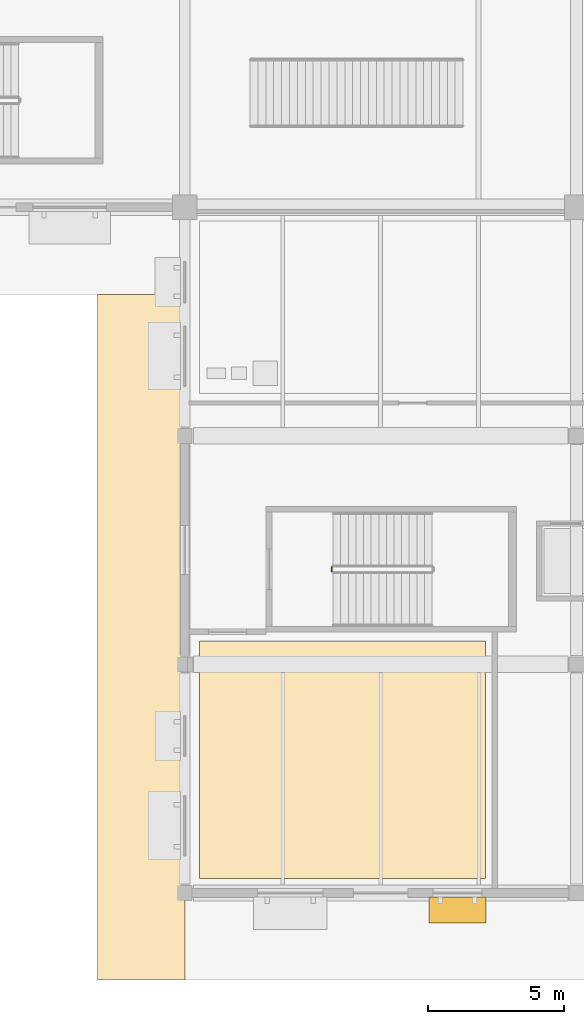
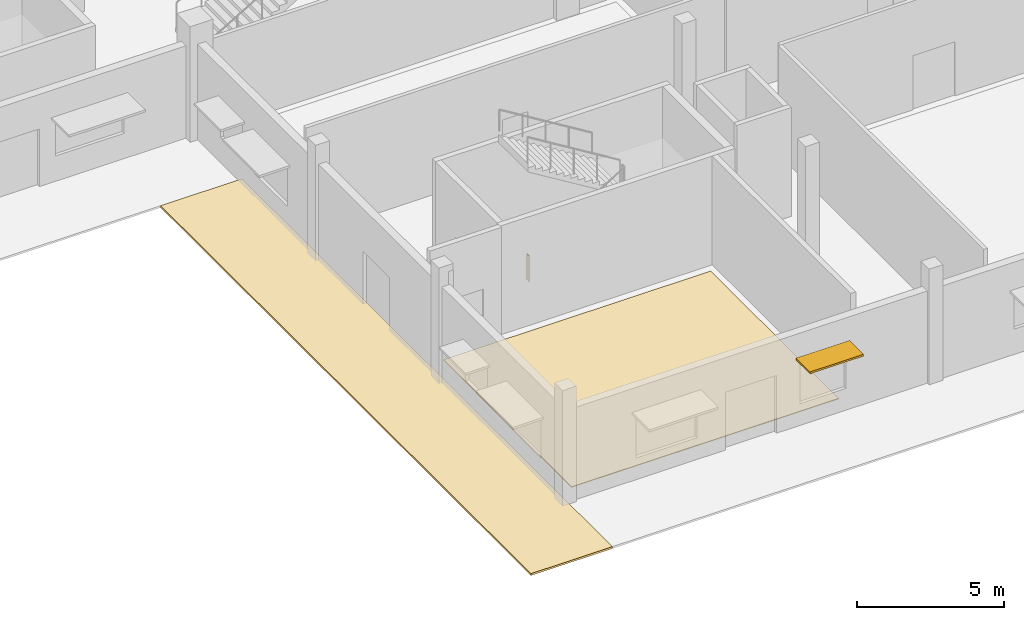
# One storey, part 108 of 130: 2 coverings, 1 railing, 1 shading device.
"""IFC4 building model written with IfcOpenShell, lengths in metres."""

from ifc_helpers import new_model, si_unit, direction, frame, origin, origin_2d, place, context, subcontext, project, spatial, polyline, rectangle, circle, outline, extrude, material, layer, layer_set, type_object, element, save


model = new_model("IFC4")

# Units and contexts
model_context = context("Model", 3, precision=1e-05, world=origin(), true_north=direction((0.0, 1.0)))
body_context = subcontext(model_context, "Body", "Model", "MODEL_VIEW")
ifc_project = project(units=[si_unit("LENGTHUNIT", "METRE"), si_unit("AREAUNIT", "SQUARE_METRE"), si_unit("VOLUMEUNIT", "CUBIC_METRE"), si_unit("PLANEANGLEUNIT", "RADIAN"), si_unit("MASSUNIT", "GRAM", prefix="KILO"), si_unit("THERMODYNAMICTEMPERATUREUNIT", "KELVIN")], contexts=[model_context])

# Site, building, storey
site_placement = place(None, origin())
site = spatial("IfcSite", under=ifc_project, at=site_placement, CompositionType="ELEMENT")
building_placement = place(site_placement, origin())
building = spatial("IfcBuilding", under=site, at=building_placement, Name="Nduvali Passage Aquatics Centre", CompositionType="ELEMENT")
storey_placement = place(building_placement, origin())
storey = spatial("IfcBuildingStorey", under=building, at=storey_placement, Name="L00", CompositionType="ELEMENT", Elevation=0.0)

# Shading device
ifc_material_1 = material(Name="Aluminium EN AW-6063 T6", Category="aluminium")
ifc_layer_1 = layer(ifc_material_1, 0.080078125, Name="Aluminium EN AW-6063 T6")
ifc_layer_set_1 = layer_set([ifc_layer_1], Name="Aluminium EN AW-6063 T6")
shading_device_type = type_object("IfcShadingDeviceType", Name="ENV-SHD-SUN2", PredefinedType="AWNING", material=ifc_layer_set_1)
shading_device_placement = place(storey_placement, frame((49.6240234375, -0.625, 2.760009765625), z_axis=(0.0, 0.0, 1.0), x_axis=(1.0, 0.0, 0.0)))
element("IfcShadingDevice", 1, at=shading_device_placement, inside=storey, type_object=shading_device_type, Name="L00 Horizontal Monsoon Sunshade 0002", PredefinedType="AWNING", context=body_context, shape_type="SweptSolid", body=[
    extrude(rectangle(XDim=2.10009765625, YDim=0.949951171875, at=origin_2d()), origin(), (0.0, 0.0, 1.0), 0.080078125),
])

# Covering
ifc_material_2 = material(Name="Polished coral-aggregate terrazzo")
ifc_layer_2 = layer(ifc_material_2, 0.030029296875, Name="Polished coral-aggregate terrazzo")
ifc_layer_set_2 = layer_set([ifc_layer_2], Name="Polished coral-aggregate terrazzo")
covering_type_1 = type_object("IfcCoveringType", Name="INT-COV-TERRAZZO", PredefinedType="FLOORING", material=ifc_layer_set_2)
covering_1_placement = place(storey_placement, origin())
element("IfcCovering", 2, at=covering_1_placement, inside=storey, type_object=covering_type_1, Name="L00 Competition Lane-Rope and Starting Block Store Floor Finish", PredefinedType="FLOORING", context=body_context, shape_type="SweptSolid", body=[
    extrude(outline(polyline([(40.14990234375, 0.530029296875), (50.64990234375, 0.530029296875), (50.64990234375, 9.25), (40.14990234375, 9.25), (40.14990234375, 0.530029296875)])), origin(), (0.0, 0.0, 1.0), 0.030029296875),
])

# Railing
ifc_material_3 = material(Name="Stainless steel balustrade", Category="steel")
railing_type = type_object("IfcRailingType", Name="INT-RLG-GRD110", PredefinedType="GUARDRAIL", material=ifc_material_3)
railing_placement = place(storey_placement, frame((45.0, 11.820068359375, 0.0)))
element("IfcRailing", 3, at=railing_placement, inside=storey, type_object=railing_type, Name="L00 ST5 stair guard 4", PredefinedType="GUARDRAIL", context=body_context, shape_type="SweptSolid", body=[
    extrude(circle(Radius=0.02392578125, at=origin_2d()), frame((0.0, 0.0, 1.076171875), z_axis=(0.0, 1.0, 0.0), x_axis=(-1.0, 0.0, 0.0)), (0.0, 0.0, 1.0), 0.14990234375),
    extrude(circle(Radius=0.02099609375, at=origin_2d()), origin(), (0.0, 0.0, 1.0), 1.052001953125),
    extrude(circle(Radius=0.02099609375, at=origin_2d()), frame((0.0, 0.14990234375, 0.0)), (0.0, 0.0, 1.0), 1.052001953125),
])

# Covering
ifc_material_4 = material(Name="Coral-stone masonry blockwork", Category="masonry")
ifc_layer_3 = layer(ifc_material_4, 0.080078125, Name="Coral-stone masonry blockwork")
ifc_layer_set_3 = layer_set([ifc_layer_3], Name="Coral-stone masonry blockwork")
covering_type_2 = type_object("IfcCoveringType", Name="STR-COV-PAV80", PredefinedType="USERDEFINED", material=ifc_layer_set_3)
covering_2_placement = place(storey_placement, frame((0.0, 0.0, -0.080078125)))
element("IfcCovering", 4, at=covering_2_placement, inside=storey, type_object=covering_type_2, Name="L00 Changing Wing West Exit Paving", ObjectType="PAVING", PredefinedType="USERDEFINED", context=body_context, shape_type="SweptSolid", body=[
    extrude(outline(polyline([(36.39990234375, -3.199951171875), (39.60009765625, -3.199951171875), (39.60009765625, 22.0), (36.39990234375, 22.0), (36.39990234375, -3.199951171875)])), origin(), (0.0, 0.0, 1.0), 0.080078125),
])

save(model, "model.ifc")
